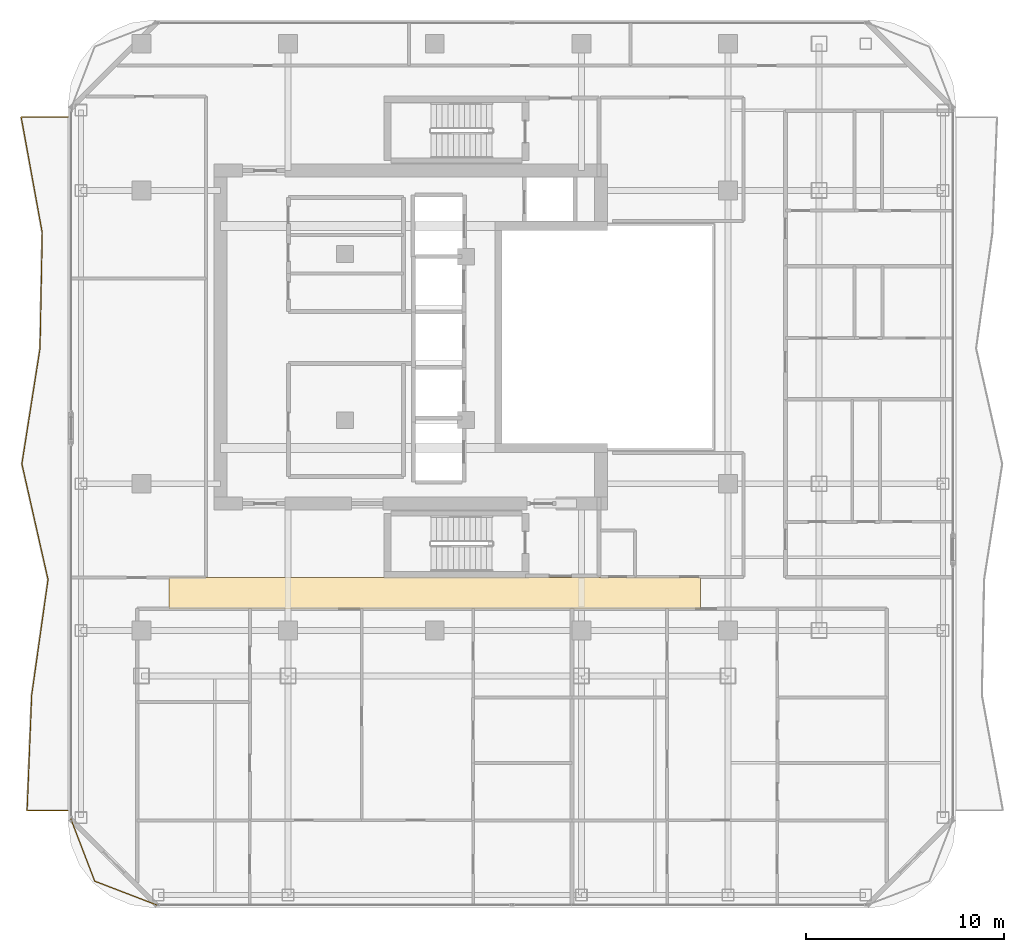
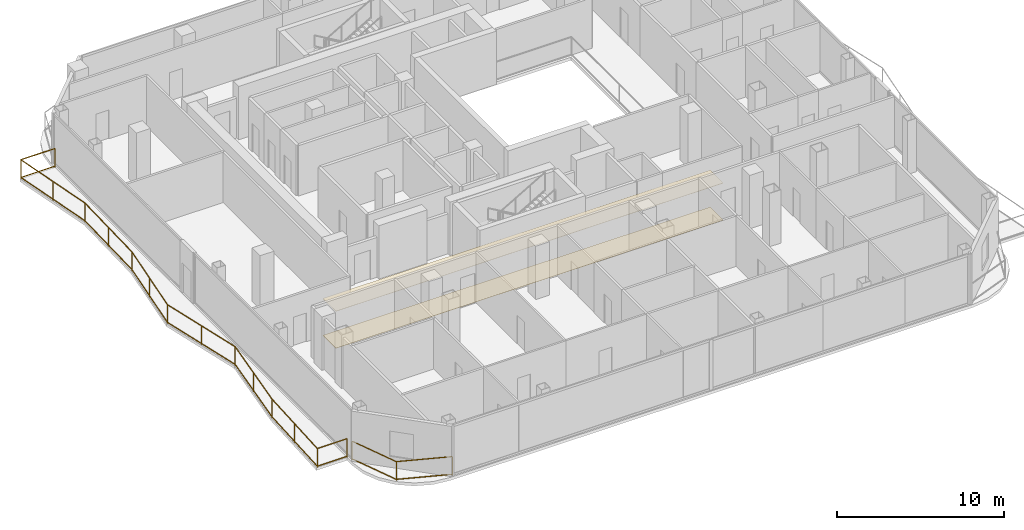
# One storey, part 25 of 27: 2 coverings, 2 railings.
"""IFC4 building model written with IfcOpenShell, lengths in metres."""

from ifc_helpers import new_model, si_unit, direction, frame, origin, origin_2d, place, context, subcontext, project, spatial, polyline, rectangle, outline, extrude, material, layer, layer_set, type_object, element, save


model = new_model("IFC4")

# Units and contexts
model_context = context("Model", 3, precision=1e-05, world=origin(), true_north=direction((0.0, 1.0)))
body_context = subcontext(model_context, "Body", "Model", "MODEL_VIEW")
ifc_project = project(units=[si_unit("LENGTHUNIT", "METRE"), si_unit("AREAUNIT", "SQUARE_METRE"), si_unit("VOLUMEUNIT", "CUBIC_METRE"), si_unit("PLANEANGLEUNIT", "RADIAN"), si_unit("MASSUNIT", "GRAM", prefix="KILO")], contexts=[model_context])

# Site, building, storey
site_placement = place(None, origin())
site = spatial("IfcSite", under=ifc_project, at=site_placement, CompositionType="ELEMENT")
building_placement = place(site_placement, origin())
building = spatial("IfcBuilding", under=site, at=building_placement, Name="Khorvyn Point Tower", CompositionType="ELEMENT")
storey_placement = place(building_placement, frame((0.0, 0.0, 246.89990234375)))
storey = spatial("IfcBuildingStorey", under=building, at=storey_placement, Name="L60", CompositionType="ELEMENT", Elevation=246.89990234375)

# Railings
ifc_material_1 = material(Name="Anodised aluminium 6063-T6 and laminated safety glass", Category="aluminium")
railing_type = type_object("IfcRailingType", Name="Laminated Glass and Aluminium Balcony Guardrail 1400", PredefinedType="BALUSTRADE", material=ifc_material_1)
railing_1_placement = place(storey_placement, frame((-18.374267578125, -24.28125, 0.0)))
element("IfcRailing", 1, at=railing_1_placement, inside=storey, type_object=railing_type, Name="L60 Rounded Corner Edge Guardrail SW", PredefinedType="BALUSTRADE", context=body_context, shape_type="SweptSolid", body=[
    extrude(rectangle(XDim=0.048095703125, YDim=0.048095703125, at=origin_2d()), frame((0.0, 0.0, 1.3759765625), z_axis=(0.358343916815, -0.933589651443, 0.0), x_axis=(0.933589651443, 0.358343916815, 0.0)), (0.0, 0.0, 1.0), 3.400390625),
    extrude(rectangle(XDim=0.048095703125, YDim=0.048095703125, at=origin_2d()), frame((0.0, 0.0, 0.080078125), z_axis=(0.358343916815, -0.933589651443, 0.0), x_axis=(0.933589651443, 0.358343916815, 0.0)), (0.0, 0.0, 1.0), 3.400390625),
    extrude(rectangle(XDim=0.048095703125, YDim=0.048095703125, at=origin_2d()), frame((1.218505859375, -3.174560546875, 1.3759765625), z_axis=(0.933589651443, -0.358343916815, 0.0), x_axis=(0.358343916815, 0.933589651443, 0.0)), (0.0, 0.0, 1.0), 3.400390625),
    extrude(rectangle(XDim=0.048095703125, YDim=0.048095703125, at=origin_2d()), frame((1.218505859375, -3.174560546875, 0.080078125), z_axis=(0.933589651443, -0.358343916815, 0.0), x_axis=(0.358343916815, 0.933589651443, 0.0)), (0.0, 0.0, 1.0), 3.400390625),
    extrude(rectangle(XDim=0.0419921875, YDim=0.0419921875, at=origin_2d()), origin(), (0.0, 0.0, 1.0), 1.351806640625),
    extrude(rectangle(XDim=0.0419921875, YDim=0.0419921875, at=origin_2d()), frame((1.218505859375, -3.174560546875, 0.0)), (0.0, 0.0, 1.0), 1.351806640625),
    extrude(rectangle(XDim=0.0419921875, YDim=0.0419921875, at=origin_2d()), frame((4.39306640625, -4.39306640625, 0.0)), (0.0, 0.0, 1.0), 1.351806640625),
])
railing_2_placement = place(storey_placement, frame((-18.5, 11.10009765625, 0.0)))
element("IfcRailing", 2, at=railing_2_placement, inside=storey, type_object=railing_type, Name="L60 West Balcony Guardrail", PredefinedType="BALUSTRADE", context=body_context, shape_type="SweptSolid", body=[
    extrude(rectangle(XDim=0.048095703125, YDim=0.048095703125, at=origin_2d()), frame((0.0, 0.0, 1.3759765625), z_axis=(-1.0, 0.0, 0.0), x_axis=(0.0, -1.0, 0.0)), (0.0, 0.0, 1.0), 2.36669921875),
    extrude(rectangle(XDim=0.048095703125, YDim=0.048095703125, at=origin_2d()), frame((0.0, 0.0, 0.080078125), z_axis=(-1.0, 0.0, 0.0), x_axis=(0.0, -1.0, 0.0)), (0.0, 0.0, 1.0), 2.36669921875),
    extrude(rectangle(XDim=0.048095703125, YDim=0.048095703125, at=origin_2d()), frame((-2.36669921875, 0.0, 1.3759765625), z_axis=(0.179349189969, -0.983785478678, 0.0), x_axis=(0.983785478678, 0.179349189969, 0.0)), (0.0, 0.0, 1.0), 5.9296875),
    extrude(rectangle(XDim=0.048095703125, YDim=0.048095703125, at=origin_2d()), frame((-2.36669921875, 0.0, 0.080078125), z_axis=(0.179349189969, -0.983785478678, 0.0), x_axis=(0.983785478678, 0.179349189969, 0.0)), (0.0, 0.0, 1.0), 5.9296875),
    extrude(rectangle(XDim=0.048095703125, YDim=0.048095703125, at=origin_2d()), frame((-1.30322265625, -5.83349609375, 1.3759765625), z_axis=(-0.01924893367, -0.999814722112, 0.0), x_axis=(0.999814722112, -0.01924893367, 0.0)), (0.0, 0.0, 1.0), 5.834228515625),
    extrude(rectangle(XDim=0.048095703125, YDim=0.048095703125, at=origin_2d()), frame((-1.30322265625, -5.83349609375, 0.080078125), z_axis=(-0.01924893367, -0.999814722112, 0.0), x_axis=(0.999814722112, -0.01924893367, 0.0)), (0.0, 0.0, 1.0), 5.834228515625),
    extrude(rectangle(XDim=0.048095703125, YDim=0.048095703125, at=origin_2d()), frame((-1.41552734375, -11.666748046875, 1.3759765625), z_axis=(-0.155011288159, -0.987912698847, 0.0), x_axis=(0.987912698847, -0.155011288159, 0.0)), (0.0, 0.0, 1.0), 5.904541015625),
    extrude(rectangle(XDim=0.048095703125, YDim=0.048095703125, at=origin_2d()), frame((-1.41552734375, -11.666748046875, 0.080078125), z_axis=(-0.155011288159, -0.987912698847, 0.0), x_axis=(0.987912698847, -0.155011288159, 0.0)), (0.0, 0.0, 1.0), 5.904541015625),
    extrude(rectangle(XDim=0.048095703125, YDim=0.048095703125, at=origin_2d()), frame((-2.330810546875, -17.5, 1.3759765625), z_axis=(0.220594131917, -0.975365689864, 0.0), x_axis=(0.975365689864, 0.220594131917, 0.0)), (0.0, 0.0, 1.0), 5.980712890625),
    extrude(rectangle(XDim=0.048095703125, YDim=0.048095703125, at=origin_2d()), frame((-2.330810546875, -17.5, 0.080078125), z_axis=(0.220594131917, -0.975365689864, 0.0), x_axis=(0.975365689864, 0.220594131917, 0.0)), (0.0, 0.0, 1.0), 5.980712890625),
    extrude(rectangle(XDim=0.048095703125, YDim=0.048095703125, at=origin_2d()), frame((-1.011474609375, -23.33349609375, 1.3759765625), z_axis=(-0.139947544031, -0.990158919022, 0.0), x_axis=(0.990158919022, -0.139947544031, 0.0)), (0.0, 0.0, 1.0), 5.89111328125),
    extrude(rectangle(XDim=0.048095703125, YDim=0.048095703125, at=origin_2d()), frame((-1.011474609375, -23.33349609375, 0.080078125), z_axis=(-0.139947544031, -0.990158919022, 0.0), x_axis=(0.990158919022, -0.139947544031, 0.0)), (0.0, 0.0, 1.0), 5.89111328125),
    extrude(rectangle(XDim=0.048095703125, YDim=0.048095703125, at=origin_2d()), frame((-1.8359375, -29.166748046875, 1.3759765625), z_axis=(-0.039770961789, -0.999208822318, 0.0), x_axis=(0.999208822318, -0.039770961789, 0.0)), (0.0, 0.0, 1.0), 5.837890625),
    extrude(rectangle(XDim=0.048095703125, YDim=0.048095703125, at=origin_2d()), frame((-1.8359375, -29.166748046875, 0.080078125), z_axis=(-0.039770961789, -0.999208822318, 0.0), x_axis=(0.999208822318, -0.039770961789, 0.0)), (0.0, 0.0, 1.0), 5.837890625),
    extrude(rectangle(XDim=0.048095703125, YDim=0.048095703125, at=origin_2d()), frame((-2.068115234375, -35.0, 1.3759765625), z_axis=(1.0, 0.0, 0.0), x_axis=(0.0, 1.0, 0.0)), (0.0, 0.0, 1.0), 2.068115234375),
    extrude(rectangle(XDim=0.048095703125, YDim=0.048095703125, at=origin_2d()), frame((-2.068115234375, -35.0, 0.080078125), z_axis=(1.0, 0.0, 0.0), x_axis=(0.0, 1.0, 0.0)), (0.0, 0.0, 1.0), 2.068115234375),
    extrude(rectangle(XDim=0.0419921875, YDim=0.0419921875, at=origin_2d()), origin(), (0.0, 0.0, 1.0), 1.351806640625),
    extrude(rectangle(XDim=0.0419921875, YDim=0.0419921875, at=origin_2d()), frame((-2.36669921875, 0.0, 0.0)), (0.0, 0.0, 1.0), 1.351806640625),
    extrude(rectangle(XDim=0.0419921875, YDim=0.0419921875, at=origin_2d()), frame((-1.8349609375, -2.916748046875, 0.0)), (0.0, 0.0, 1.0), 1.351806640625),
    extrude(rectangle(XDim=0.0419921875, YDim=0.0419921875, at=origin_2d()), frame((-1.30322265625, -5.83349609375, 0.0)), (0.0, 0.0, 1.0), 1.351806640625),
    extrude(rectangle(XDim=0.0419921875, YDim=0.0419921875, at=origin_2d()), frame((-1.359375, -8.75, 0.0)), (0.0, 0.0, 1.0), 1.351806640625),
    extrude(rectangle(XDim=0.0419921875, YDim=0.0419921875, at=origin_2d()), frame((-1.41552734375, -11.666748046875, 0.0)), (0.0, 0.0, 1.0), 1.351806640625),
    extrude(rectangle(XDim=0.0419921875, YDim=0.0419921875, at=origin_2d()), frame((-1.873046875, -14.58349609375, 0.0)), (0.0, 0.0, 1.0), 1.351806640625),
    extrude(rectangle(XDim=0.0419921875, YDim=0.0419921875, at=origin_2d()), frame((-2.330810546875, -17.5, 0.0)), (0.0, 0.0, 1.0), 1.351806640625),
    extrude(rectangle(XDim=0.0419921875, YDim=0.0419921875, at=origin_2d()), frame((-1.671142578125, -20.416748046875, 0.0)), (0.0, 0.0, 1.0), 1.351806640625),
    extrude(rectangle(XDim=0.0419921875, YDim=0.0419921875, at=origin_2d()), frame((-1.011474609375, -23.33349609375, 0.0)), (0.0, 0.0, 1.0), 1.351806640625),
    extrude(rectangle(XDim=0.0419921875, YDim=0.0419921875, at=origin_2d()), frame((-1.423828125, -26.25, 0.0)), (0.0, 0.0, 1.0), 1.351806640625),
    extrude(rectangle(XDim=0.0419921875, YDim=0.0419921875, at=origin_2d()), frame((-1.8359375, -29.166748046875, 0.0)), (0.0, 0.0, 1.0), 1.351806640625),
    extrude(rectangle(XDim=0.0419921875, YDim=0.0419921875, at=origin_2d()), frame((-1.9521484375, -32.08349609375, 0.0)), (0.0, 0.0, 1.0), 1.351806640625),
    extrude(rectangle(XDim=0.0419921875, YDim=0.0419921875, at=origin_2d()), frame((-2.068115234375, -35.0, 0.0)), (0.0, 0.0, 1.0), 1.351806640625),
    extrude(rectangle(XDim=0.0419921875, YDim=0.0419921875, at=origin_2d()), frame((0.0, -35.0, 0.0)), (0.0, 0.0, 1.0), 1.351806640625),
])

# Coverings
ifc_material_2 = material(Name="Mineral-fibre acoustic ceiling board", Category="gypsum")
ifc_layer_1 = layer(ifc_material_2, 0.02001953125)
ifc_layer_set_1 = layer_set([ifc_layer_1], Name="Perforated Mineral-Fibre Acoustic Suspended Ceiling 20")
covering_type_1 = type_object("IfcCoveringType", Name="Perforated Mineral-Fibre Acoustic Suspended Ceiling 20", PredefinedType="CEILING", material=ifc_layer_set_1)
covering_1_placement = place(storey_placement, frame((0.0, 0.0, 2.7001953125)))
element("IfcCovering", 3, at=covering_1_placement, inside=storey, type_object=covering_type_1, Name="L60 South Corridor Acoustic Ceiling", PredefinedType="CEILING", context=body_context, shape_type="SweptSolid", body=[
    extrude(outline(polyline([(-13.39990234375, -13.7099609375), (13.39990234375, -13.7099609375), (13.39990234375, -12.139892578125), (-13.39990234375, -12.139892578125), (-13.39990234375, -13.7099609375)])), origin(), (0.0, 0.0, 1.0), 0.02001953125),
])
ifc_material_3 = material(Name="Vitrified porcelain terrazzo tile", Category="ceramic")
ifc_layer_2 = layer(ifc_material_3, 0.01806640625)
ifc_layer_set_2 = layer_set([ifc_layer_2], Name="Porcelain Terrazzo Corridor Floor Finish Tile 18")
covering_type_2 = type_object("IfcCoveringType", Name="Porcelain Terrazzo Corridor Floor Finish Tile 18", PredefinedType="FLOORING", material=ifc_layer_set_2)
covering_2_placement = place(storey_placement, origin())
element("IfcCovering", 4, at=covering_2_placement, inside=storey, type_object=covering_type_2, Name="L60 South Corridor Terrazzo Flooring", PredefinedType="FLOORING", context=body_context, shape_type="SweptSolid", body=[
    extrude(outline(polyline([(-13.39990234375, -13.7099609375), (13.39990234375, -13.7099609375), (13.39990234375, -12.139892578125), (-13.39990234375, -12.139892578125), (-13.39990234375, -13.7099609375)])), origin(), (0.0, 0.0, 1.0), 0.01806640625),
])

save(model, "model.ifc")
